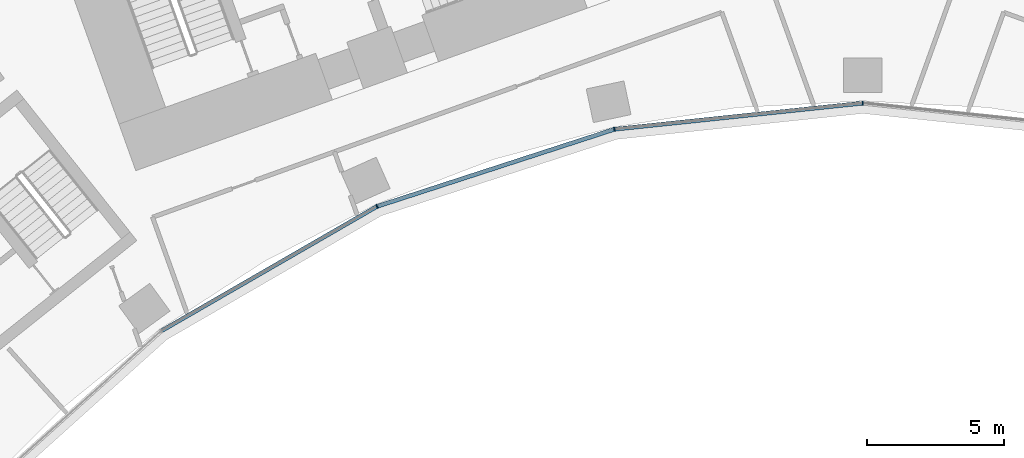
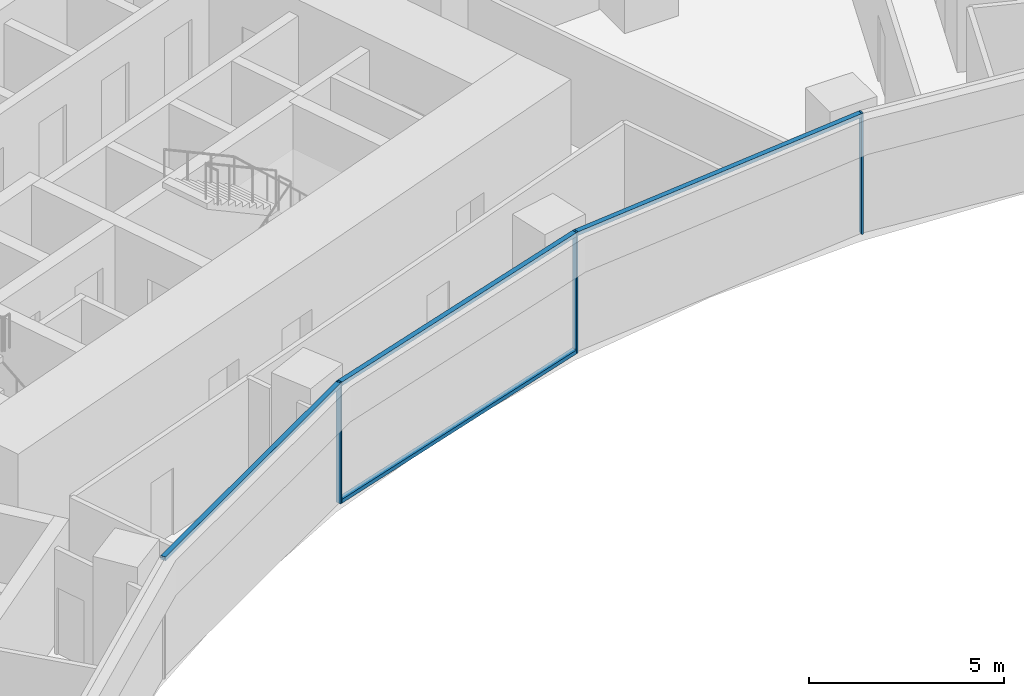
# One storey, part 5 of 24: 7 members, 1 element without a shape of its own.
"""IFC4 building model written with IfcOpenShell, lengths in metres."""

from ifc_helpers import new_model, si_unit, direction, frame, origin, origin_2d, place, context, subcontext, project, spatial, rectangle, extrude, material, layer, layer_set, material_profile, profile_set, type_object, element, aggregate, save


model = new_model("IFC4")

# Units and contexts
model_context = context("Model", 3, precision=1e-05, world=origin(), true_north=direction((0.0, 1.0)))
body_context = subcontext(model_context, "Body", "Model", "MODEL_VIEW")
ifc_project = project(units=[si_unit("LENGTHUNIT", "METRE"), si_unit("AREAUNIT", "SQUARE_METRE"), si_unit("VOLUMEUNIT", "CUBIC_METRE"), si_unit("PLANEANGLEUNIT", "RADIAN"), si_unit("MASSUNIT", "GRAM", prefix="KILO")], contexts=[model_context])

# Site, building, storey
site_placement = place(None, origin())
site = spatial("IfcSite", under=ifc_project, at=site_placement, CompositionType="ELEMENT")
building_placement = place(site_placement, origin())
building = spatial("IfcBuilding", under=site, at=building_placement, Name="Stone Belt Terrace Tower", CompositionType="ELEMENT")
storey_placement = place(building_placement, frame((0.0, 0.0, 75.60009765625)))
storey = spatial("IfcBuildingStorey", under=building, at=storey_placement, Name="L18", CompositionType="ELEMENT", Elevation=75.60009765625)

# Curtain wall, members
ifc_material = material(Name="Aluminium 6063-T6 anodised frame", Category="aluminium")
ifc_layer = layer(ifc_material, 0.14990234375)
ifc_layer_set = layer_set([ifc_layer], Name="CW-B unitised concave-face curtain wall")
curtain_wall_type = type_object("IfcCurtainWallType", Name="CW-B unitised concave-face curtain wall", PredefinedType="NOTDEFINED", material=ifc_layer_set)
curtain_wall_placement = place(storey_placement, origin())
curtain_wall = element("IfcCurtainWall", 1, at=curtain_wall_placement, inside=storey, type_object=curtain_wall_type, Name="CW-B concave face L18", PredefinedType="NOTDEFINED")
ifc_material_profile_1 = material_profile(ifc_material, rectangle(XDim=0.14990234375, YDim=0.050048828125, at=origin_2d()), Name="Aluminium 6063-T6 50x150")
ifc_profile_set_1 = profile_set([ifc_material_profile_1], Name="Aluminium 6063-T6 anodised frame")
member_type_1 = type_object("IfcMemberType", Name="CW-B mullion 50 x 150", PredefinedType="MULLION", material=ifc_profile_set_1)
member_1_placement = place(storey_placement, frame((-17.662353515625, 39.67041015625, 0.0), z_axis=(0.0, 0.0, 1.0), x_axis=(-0.406736643076, 0.913545457643, 0.0)))
member_1 = element("IfcMember", 2, at=member_1_placement, type_object=member_type_1, Name="CW-B mullion 4", PredefinedType="MULLION", context=body_context, shape_type="SweptSolid", body=[
    extrude(rectangle(XDim=0.14990234375, YDim=0.050048828125, at=origin_2d()), origin(), (0.0, 0.0, 1.0), 3.7998046875),
])
member_2_placement = place(storey_placement, frame((-9.028564453125, 42.4755859375, 0.0), z_axis=(0.0, 0.0, 1.0), x_axis=(-0.207911690818, 0.978147600734, 0.0)))
member_2 = element("IfcMember", 3, at=member_2_placement, type_object=member_type_1, Name="CW-B mullion 5", PredefinedType="MULLION", context=body_context, shape_type="SweptSolid", body=[
    extrude(rectangle(XDim=0.14990234375, YDim=0.050048828125, at=origin_2d()), origin(), (0.0, 0.0, 1.0), 3.7998046875),
])
member_3_placement = place(storey_placement, frame((0.0, 43.424560546875, 0.0), z_axis=(0.0, 0.0, 1.0), x_axis=(0.0, 1.0, 0.0)))
member_3 = element("IfcMember", 4, at=member_3_placement, type_object=member_type_1, Name="CW-B mullion 6", PredefinedType="MULLION", context=body_context, shape_type="SweptSolid", body=[
    extrude(rectangle(XDim=0.14990234375, YDim=0.050048828125, at=origin_2d()), origin(), (0.0, 0.0, 1.0), 3.7998046875),
])
ifc_material_profile_2 = material_profile(ifc_material, rectangle(XDim=0.14990234375, YDim=0.1201171875, at=origin_2d()), Name="Aluminium 6063-T6 150x120")
ifc_profile_set_2 = profile_set([ifc_material_profile_2], Name="Aluminium 6063-T6 anodised frame")
member_type_2 = type_object("IfcMemberType", Name="CW-B transom 120 x 150", PredefinedType="USERDEFINED", material=ifc_profile_set_2)
member_4_placement = place(storey_placement, frame((-25.49609375, 35.1474609375, 3.739990234375), z_axis=(0.866019133895, 0.500010859609, 0.0), x_axis=(-0.500010859609, 0.866019133895, 0.0)))
member_4 = element("IfcMember", 5, at=member_4_placement, type_object=member_type_2, Name="CW-B transom 3.1", ObjectType="TRANSOM", PredefinedType="USERDEFINED", context=body_context, shape_type="SweptSolid", body=[
    extrude(rectangle(XDim=0.14990234375, YDim=0.1201171875, at=origin_2d()), origin(), (0.0, 0.0, 1.0), 9.012939453125),
])
member_5_placement = place(storey_placement, frame((-17.63134765625, 39.680419921875, 0.059814453125), z_axis=(0.951055963285, 0.309018696359, 0.0), x_axis=(-0.309018696359, 0.951055963285, 0.0)))
member_5 = element("IfcMember", 6, at=member_5_placement, type_object=member_type_2, Name="CW-B transom 4.1", ObjectType="TRANSOM", PredefinedType="USERDEFINED", context=body_context, shape_type="SweptSolid", body=[
    extrude(rectangle(XDim=0.14990234375, YDim=0.1201171875, at=origin_2d()), origin(), (0.0, 0.0, 1.0), 9.012939453125),
])
member_6_placement = place(storey_placement, frame((-17.63134765625, 39.680419921875, 3.739990234375), z_axis=(0.951055963285, 0.309018696359, 0.0), x_axis=(-0.309018696359, 0.951055963285, 0.0)))
member_6 = element("IfcMember", 7, at=member_6_placement, type_object=member_type_2, Name="CW-B transom 4.2", ObjectType="TRANSOM", PredefinedType="USERDEFINED", context=body_context, shape_type="SweptSolid", body=[
    extrude(rectangle(XDim=0.14990234375, YDim=0.1201171875, at=origin_2d()), origin(), (0.0, 0.0, 1.0), 9.012939453125),
])
member_7_placement = place(storey_placement, frame((-8.995849609375, 42.47900390625, 3.739990234375), z_axis=(0.994521323407, 0.104533904969, 0.0), x_axis=(-0.104533904969, 0.994521323407, 0.0)))
member_7 = element("IfcMember", 8, at=member_7_placement, type_object=member_type_2, Name="CW-B transom 5.1", ObjectType="TRANSOM", PredefinedType="USERDEFINED", context=body_context, shape_type="SweptSolid", body=[
    extrude(rectangle(XDim=0.14990234375, YDim=0.1201171875, at=origin_2d()), origin(), (0.0, 0.0, 1.0), 9.0126953125),
])
aggregate(curtain_wall, [member_1, member_2, member_3, member_4, member_5, member_6, member_7])

save(model, "model.ifc")
